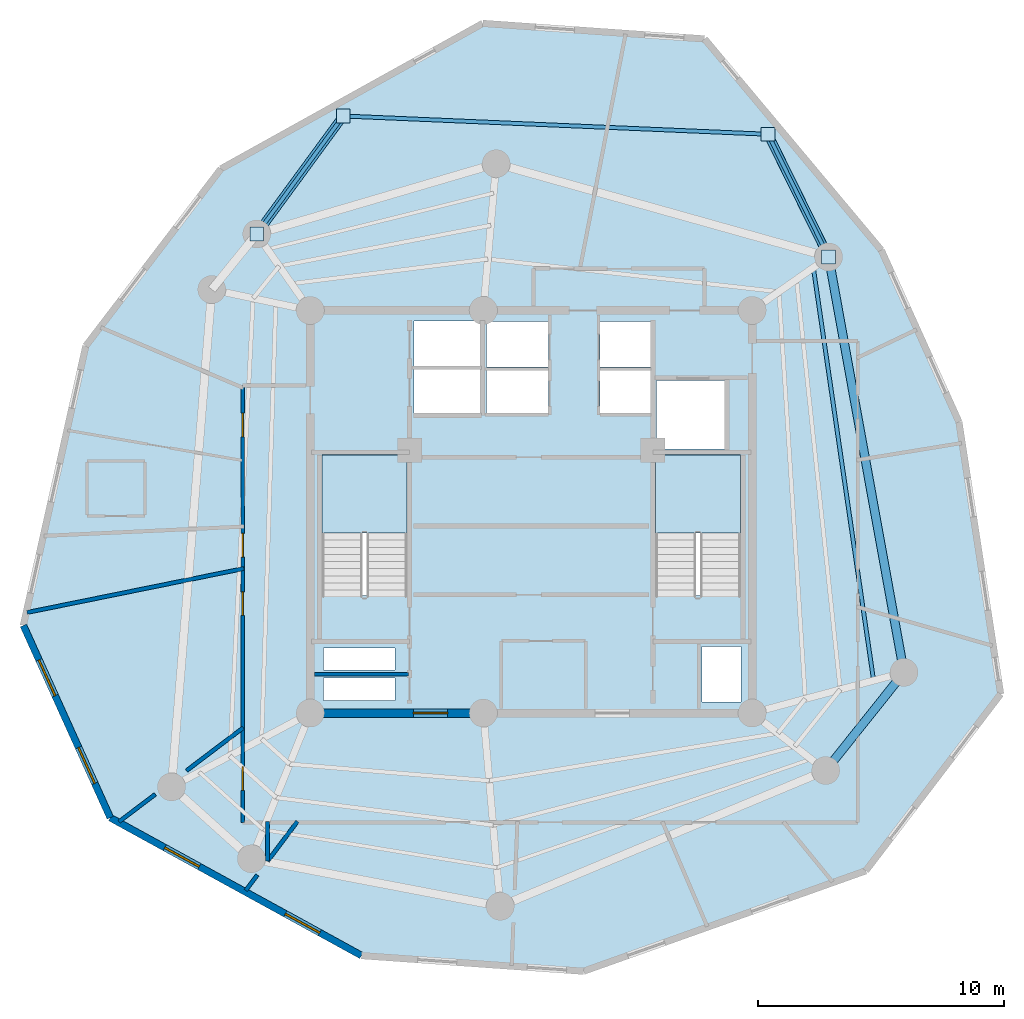
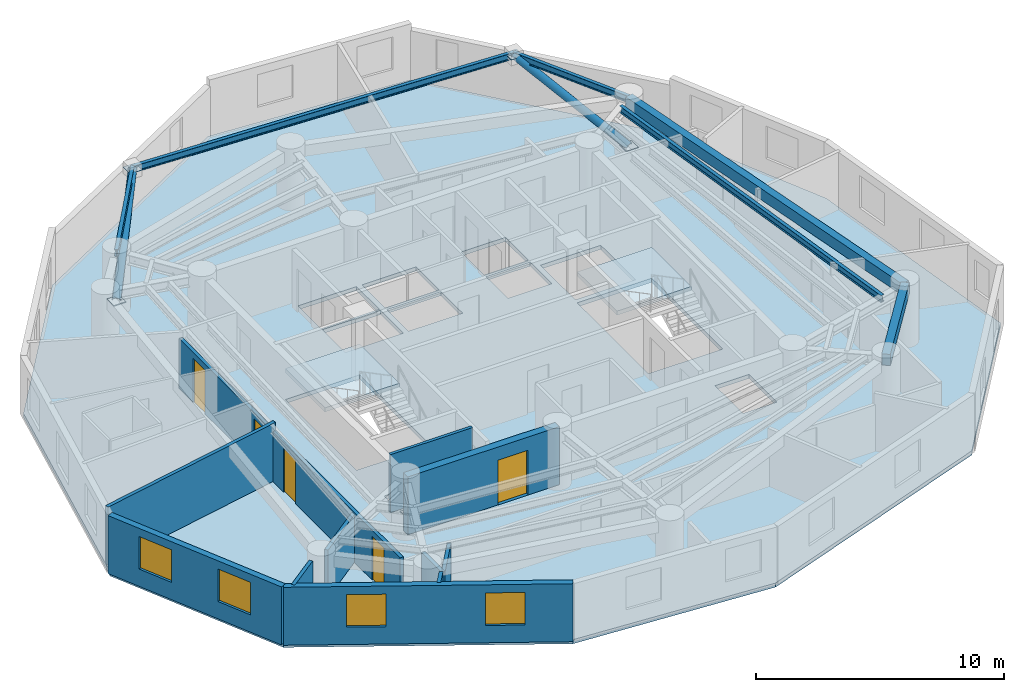
# One storey, part 2 of 7: 11 walls, 6 beams, 5 doors, 4 plates, 4 windows, 3 slabs, 2 members, 9 openings, 2 elements without a shape of their own.
"""IFC4 building model written with IfcOpenShell, lengths in metres."""

from ifc_helpers import new_model, si_unit, direction, frame, frame_2d, origin, origin_with_axes, origin_2d, place, context, subcontext, project, spatial, polyline, rectangle, hollow_circle, i_section, outline, extrude, source, transform, mapped, material, layer, layer_set, material_profile, profile_set, type_object, element, fill, aggregate, save


model = new_model("IFC4")

# Units and contexts
model_context = context("Model", 3, precision=1e-05, world=origin(), true_north=direction((0.0, 1.0)))
body_context = subcontext(model_context, "Body", "Model", "MODEL_VIEW")
ifc_project = project(units=[si_unit("LENGTHUNIT", "METRE"), si_unit("AREAUNIT", "SQUARE_METRE"), si_unit("VOLUMEUNIT", "CUBIC_METRE"), si_unit("PLANEANGLEUNIT", "RADIAN"), si_unit("MASSUNIT", "GRAM", prefix="KILO")], contexts=[model_context])

# Site, building, storey
site_placement = place(None, origin())
site = spatial("IfcSite", under=ifc_project, at=site_placement, CompositionType="ELEMENT")
building_placement = place(site_placement, origin())
building = spatial("IfcBuilding", under=site, at=building_placement, Name="Karkom Vertical University and Central Library", CompositionType="ELEMENT")
storey_placement = place(building_placement, frame((0.0, 0.0, 247.39990234375)))
storey = spatial("IfcBuildingStorey", under=building, at=storey_placement, Name="L73", CompositionType="ELEMENT", Elevation=247.39990234375)

# Beams
ifc_material_1 = material(Name="Precast concrete C45/55", Category="concrete")
ifc_material_profile_1 = material_profile(ifc_material_1, rectangle(XDim=0.35009765625, YDim=0.550048828125, at=origin_2d()), Name="SPB-350x550")
ifc_profile_set_1 = profile_set([ifc_material_profile_1], Name="Precast concrete C45/55")
beam_type_1 = type_object("IfcBeamType", Name="STR-BM-SP-2", PredefinedType="SPANDREL", material=ifc_profile_set_1)
shared_shape_1 = source(origin_with_axes(), body_context, "Body", "SweptSolid", [
    extrude(rectangle(XDim=0.35009765625, YDim=0.550048828125, at=origin_2d()), origin(), (0.0, 0.0, 1.0), 17.19970703125),
])
beam_1_placement = place(storey_placement, frame((43.681884765625, 19.9560546875, 2.5751953125), z_axis=(-0.178423249727, 0.983953832228, 0.0), x_axis=(-0.983953832228, -0.178423249727, 0.0)))
element("IfcBeam", 1, at=beam_1_placement, inside=storey, type_object=beam_type_1, Name="Level 73 Perimeter Spandrel Beam 01", PredefinedType="SPANDREL", context=body_context, shape_type="MappedRepresentation", body=[
    mapped(shared_shape_1, transform((0.0, 0.0, 0.0), scale=1.0)),
])
shared_shape_2 = source(origin_with_axes(), body_context, "Body", "SweptSolid", [
    extrude(rectangle(XDim=0.35009765625, YDim=0.550048828125, at=origin_2d()), origin(), (0.0, 0.0, 1.0), 5.112060546875),
])
beam_2_placement = place(storey_placement, frame((40.493896484375, 15.9599609375, 2.5751953125), z_axis=(0.623634459503, 0.78171609995, 0.0), x_axis=(-0.78171609995, 0.623634459503, 0.0)))
element("IfcBeam", 2, at=beam_2_placement, inside=storey, type_object=beam_type_1, Name="Level 73 Perimeter Spandrel Beam 09", PredefinedType="SPANDREL", context=body_context, shape_type="MappedRepresentation", body=[
    mapped(shared_shape_2, transform((0.0, 0.0, 0.0), scale=1.0)),
])
ifc_material_2 = material(Name="Steel S355", Category="steel")
ifc_material_profile_2 = material_profile(ifc_material_2, i_section(OverallWidth=0.159912109375, OverallDepth=0.330078125, WebThickness=0.007568359375, FlangeThickness=0.011474609375, FilletRadius=0.01806640625, at=origin_2d()), Name="IPE 330")
ifc_profile_set_2 = profile_set([ifc_material_profile_2], Name="Steel S355")
beam_type_2 = type_object("IfcBeamType", Name="STR-BM-SB-IPE330", PredefinedType="BEAM", material=ifc_profile_set_2)
shared_shape_3 = source(origin_with_axes(), body_context, "Body", "SweptSolid", [
    extrude(i_section(OverallWidth=0.159912109375, OverallDepth=0.330078125, WebThickness=0.007568359375, FlangeThickness=0.011474609375, FilletRadius=0.01806640625, at=origin_2d()), origin(), (0.0, 0.0, 1.0), 16.99755859375),
])
beam_3_placement = place(storey_placement, frame((42.445556640625, 19.624755859375, 2.68505859375), z_axis=(-0.144436985275, 0.98951400055, 0.0), x_axis=(-0.98951400055, -0.144436985275, 0.0)))
element("IfcBeam", 3, at=beam_3_placement, inside=storey, type_object=beam_type_2, Name="Level 73 Secondary Composite Floor Beam 3.01", PredefinedType="BEAM", context=body_context, shape_type="MappedRepresentation", body=[
    mapped(shared_shape_3, transform((0.0, 0.0, 0.0), scale=1.0)),
])
shared_shape_4 = source(origin_with_axes(), body_context, "Body", "SweptSolid", [
    extrude(i_section(OverallWidth=0.159912109375, OverallDepth=0.330078125, WebThickness=0.007568359375, FlangeThickness=0.011474609375, FilletRadius=0.01806640625, at=origin_2d()), origin(), (0.0, 0.0, 1.0), 5.571044921875),
])
beam_4_placement = place(storey_placement, frame((40.613037109375, 36.8798828125, 2.68505859375), z_axis=(-0.442825981534, 0.896607578642, 0.0), x_axis=(-0.896607578642, -0.442825981534, 0.0)))
element("IfcBeam", 4, at=beam_4_placement, inside=storey, type_object=beam_type_2, Name="Level 73 Sky Garden Outrigger Support Beam 1", PredefinedType="BEAM", context=body_context, shape_type="MappedRepresentation", body=[
    mapped(shared_shape_4, transform((0.0, 0.0, 0.0), scale=1.0)),
])

# Member
ifc_material_profile_3 = material_profile(ifc_material_2, hollow_circle(Radius=0.177734375, WallThickness=0.01611328125, at=origin_2d()), Name="CHS 355.6x16")
ifc_profile_set_3 = profile_set([ifc_material_profile_3], Name="Steel S355")
member_type = type_object("IfcMemberType", Name="STR-MEM-BR-3", PredefinedType="BRACE", material=ifc_profile_set_3)
shared_shape_5 = source(origin_with_axes(), body_context, "Body", "SweptSolid", [
    extrude(hollow_circle(Radius=0.177734375, WallThickness=0.01611328125, at=origin_2d()), origin(), (0.0, 0.0, 1.0), 6.040771484375),
])
member_1_placement = place(storey_placement, frame((40.613037109375, 36.8798828125, 0.35009765625), z_axis=(-0.40840611595, 0.826916292166, 0.386540929534), x_axis=(-0.896607578642, -0.442825981534, 0.0)))
element("IfcMember", 5, at=member_1_placement, inside=storey, type_object=member_type, Name="Level 73 Sky Garden Knee Strut Brace 1", PredefinedType="BRACE", context=body_context, shape_type="MappedRepresentation", body=[
    mapped(shared_shape_5, transform((0.0, 0.0, 0.0), scale=1.0)),
])

# Beam
shared_shape_6 = source(origin_with_axes(), body_context, "Body", "SweptSolid", [
    extrude(i_section(OverallWidth=0.159912109375, OverallDepth=0.330078125, WebThickness=0.007568359375, FlangeThickness=0.011474609375, FilletRadius=0.01806640625, at=origin_2d()), origin(), (0.0, 0.0, 1.0), 5.95849609375),
])
beam_5_placement = place(storey_placement, frame((17.320068359375, 37.81298828125, 2.68505859375), z_axis=(0.591132716229, 0.806574306437, 0.0), x_axis=(-0.806574306437, 0.591132716229, 0.0)))
element("IfcBeam", 6, at=beam_5_placement, inside=storey, type_object=beam_type_2, Name="Level 73 Sky Garden Outrigger Support Beam 2", PredefinedType="BEAM", context=body_context, shape_type="MappedRepresentation", body=[
    mapped(shared_shape_6, transform((0.0, 0.0, 0.0), scale=1.0)),
])

# Member
shared_shape_7 = source(origin_with_axes(), body_context, "Body", "SweptSolid", [
    extrude(hollow_circle(Radius=0.177734375, WallThickness=0.01611328125, at=origin_2d()), origin(), (0.0, 0.0, 1.0), 6.399658203125),
])
member_2_placement = place(storey_placement, frame((17.320068359375, 37.81298828125, 0.35009765625), z_axis=(0.550381262206, 0.750970759446, 0.364860774363), x_axis=(-0.806574306437, 0.591132716229, 0.0)))
element("IfcMember", 7, at=member_2_placement, inside=storey, type_object=member_type, Name="Level 73 Sky Garden Knee Strut Brace 2", PredefinedType="BRACE", context=body_context, shape_type="MappedRepresentation", body=[
    mapped(shared_shape_7, transform((0.0, 0.0, 0.0), scale=1.0)),
])

# Beam
shared_shape_8 = source(origin_with_axes(), body_context, "Body", "SweptSolid", [
    extrude(i_section(OverallWidth=0.159912109375, OverallDepth=0.330078125, WebThickness=0.007568359375, FlangeThickness=0.011474609375, FilletRadius=0.01806640625, at=origin_2d()), origin(), (0.0, 0.0, 1.0), 17.319580078125),
])
beam_6_placement = place(storey_placement, frame((38.14599609375, 41.875, 2.68505859375), z_axis=(-0.999077184184, 0.042950902706, 0.0), x_axis=(-0.042950902706, -0.999077184184, 0.0)))
element("IfcBeam", 8, at=beam_6_placement, inside=storey, type_object=beam_type_2, Name="Level 73 Sky Garden Perimeter Edge Beam", PredefinedType="BEAM", context=body_context, shape_type="MappedRepresentation", body=[
    mapped(shared_shape_8, transform((0.0, 0.0, 0.0), scale=1.0)),
])

# Stair, slab
ifc_material_3 = material(Name="Concrete C45/55", Category="concrete")
stair_type = type_object("IfcStairType", Name="INT-STR-ST-MAIN", PredefinedType="HALF_TURN_STAIR", material=ifc_material_3)
stair_1_placement = place(storey_placement, origin())
stair_1 = element("IfcStair", 9, at=stair_1_placement, inside=storey, type_object=stair_type, Name="Level 73 Tower Protected Exit Stair ST-1", PredefinedType="HALF_TURN_STAIR")
ifc_layer_1 = layer(ifc_material_3, 0.199951171875)
ifc_layer_set_1 = layer_set([ifc_layer_1], Name="Concrete C45/55")
slab_type_1 = type_object("IfcSlabType", Name="INT-SLB-LANDING", PredefinedType="LANDING", material=ifc_layer_set_1)
slab_1_placement = place(storey_placement, frame((0.0, 0.0, 1.3251953125)))
slab_1 = element("IfcSlab", 10, at=slab_1_placement, type_object=slab_type_1, Name="ST-1 landing 1", PredefinedType="LANDING", context=body_context, shape_type="SweptSolid", body=[
    extrude(outline(polyline([(23.43994140625, 25.6298828125), (23.43994140625, 28.820068359375), (19.97998046875, 28.820068359375), (19.97998046875, 25.6298828125), (23.43994140625, 25.6298828125)])), origin(), (0.0, 0.0, 1.0), 0.199951171875),
])
aggregate(stair_1, [slab_1])

stair_2_placement = place(storey_placement, origin())
stair_2 = element("IfcStair", 11, at=stair_2_placement, inside=storey, type_object=stair_type, Name="Level 73 Tower Protected Exit Stair ST-2", PredefinedType="HALF_TURN_STAIR")
slab_2_placement = place(storey_placement, frame((0.0, 0.0, 1.3251953125)))
slab_2 = element("IfcSlab", 12, at=slab_2_placement, type_object=slab_type_1, Name="ST-2 landing 1", PredefinedType="LANDING", context=body_context, shape_type="SweptSolid", body=[
    extrude(outline(polyline([(37.02001953125, 25.6298828125), (37.02001953125, 28.820068359375), (33.56005859375, 28.820068359375), (33.56005859375, 25.6298828125), (37.02001953125, 25.6298828125)])), origin(), (0.0, 0.0, 1.0), 0.199951171875),
])
aggregate(stair_2, [slab_2])

# Slab
ifc_material_4 = material(Name="Concrete C40/50", Category="concrete")
ifc_layer_2 = layer(ifc_material_4, 0.199951171875)
ifc_layer_set_2 = layer_set([ifc_layer_2], Name="Concrete C40/50")
slab_type_2 = type_object("IfcSlabType", Name="STR-SLB-FLR-200", PredefinedType="FLOOR", material=ifc_layer_set_2)
slab_3_placement = place(storey_placement, frame((0.0, 0.0, -0.199951171875)))
element("IfcSlab", 13, at=slab_3_placement, inside=storey, type_object=slab_type_2, Name="Level 73 Tower Structural Floor Slab", PredefinedType="FLOOR", context=body_context, shape_type="SweptSolid", body=[
    extrude(outline(polyline([(7.815185546875, 21.867919921875), (11.35498046875, 14.035400390625), (21.583251953125, 8.422607421875), (30.635498046875, 7.78759765625), (42.124755859375, 11.876708984375), (47.617919921875, 19.075439453125), (45.91796875, 30.161376953125), (42.7578125, 37.154296875), (35.560302734375, 45.755615234375), (26.527099609375, 46.38916015625), (15.865966796875, 40.4677734375), (10.361083984375, 33.25390625), (7.815185546875, 21.867919921875)]), holes=[polyline([(19.97998046875, 23.0849609375), (23.43994140625, 23.0849609375), (23.43994140625, 28.820068359375), (19.97998046875, 28.820068359375), (19.97998046875, 23.0849609375)]), polyline([(33.56005859375, 23.0849609375), (37.02001953125, 23.0849609375), (37.02001953125, 28.820068359375), (33.56005859375, 28.820068359375), (33.56005859375, 23.0849609375)]), polyline([(26.679931640625, 30.5), (29.199951171875, 30.5), (29.199951171875, 32.25), (26.679931640625, 32.25), (26.679931640625, 30.5)]), polyline([(26.679931640625, 32.39990234375), (29.199951171875, 32.39990234375), (29.199951171875, 34.25), (26.679931640625, 34.25), (26.679931640625, 32.39990234375)]), polyline([(31.300048828125, 30.5), (33.35009765625, 30.5), (33.35009765625, 32.25), (31.300048828125, 32.25), (31.300048828125, 30.5)]), polyline([(31.300048828125, 32.39990234375), (33.35009765625, 32.39990234375), (33.35009765625, 34.25), (31.300048828125, 34.25), (31.300048828125, 32.39990234375)]), polyline([(23.719970703125, 30.47998046875), (26.429931640625, 30.47998046875), (26.429931640625, 32.320068359375), (23.719970703125, 32.320068359375), (23.719970703125, 30.47998046875)]), polyline([(23.719970703125, 32.419921875), (26.429931640625, 32.419921875), (26.429931640625, 34.260009765625), (23.719970703125, 34.260009765625), (23.719970703125, 32.419921875)]), polyline([(33.60009765625, 29.050048828125), (36.39990234375, 29.050048828125), (36.39990234375, 31.85009765625), (33.60009765625, 31.85009765625), (33.60009765625, 29.050048828125)]), polyline([(20.050048828125, 18.820068359375), (22.949951171875, 18.820068359375), (22.949951171875, 19.719970703125), (20.050048828125, 19.719970703125), (20.050048828125, 18.820068359375)]), polyline([(20.050048828125, 20.06005859375), (22.949951171875, 20.06005859375), (22.949951171875, 20.9599609375), (20.050048828125, 20.9599609375), (20.050048828125, 20.06005859375)]), polyline([(35.4599609375, 18.760009765625), (37.0400390625, 18.760009765625), (37.0400390625, 21.010009765625), (35.4599609375, 21.010009765625), (35.4599609375, 18.760009765625)])]), origin(), (0.0, 0.0, 1.0), 0.199951171875),
])

# Plates
ifc_layer_3 = layer(ifc_material_2, 0.028076171875)
ifc_layer_set_3 = layer_set([ifc_layer_3], Name="Steel S355")
plate_type = type_object("IfcPlateType", Name="STR-PLT-GP-2", PredefinedType="USERDEFINED", material=ifc_layer_set_3)
shared_shape_9 = source(origin_with_axes(), body_context, "Body", "SweptSolid", [
    extrude(rectangle(XDim=0.56005859375, YDim=0.56005859375, at=origin_2d()), origin(), (0.0, 0.0, 1.0), 0.028076171875),
])
for number, where, z_axis, x_axis, name in (
    (14, (40.613037109375, 36.8798828125, 0.3359375), (0.0, 0.0, 1.0), (1.0, 0.0, 0.0), "Level 73 Node Gusset Cap Plate L73-SKG-KNEE-1 A"),
    (15, (38.14599609375, 41.875, 2.6708984375), (0.0, 0.0, 1.0), (1.0, 0.0, 0.0), "Level 73 Node Gusset Cap Plate L73-SKG-KNEE-1 B"),
    (16, (17.320068359375, 37.81298828125, 0.3359375), (0.0, 0.0, 1.0), (1.0, 0.0, 0.0), "Level 73 Node Gusset Cap Plate L73-SKG-KNEE-2 A"),
    (17, (20.84228515625, 42.618896484375, 2.6708984375), (0.0, 0.0, 1.0), (1.0, 0.0, 0.0), "Level 73 Node Gusset Cap Plate L73-SKG-KNEE-2 B"),
):
    element("IfcPlate", number, at=place(storey_placement, frame(where, z_axis=z_axis, x_axis=x_axis)), inside=storey, type_object=plate_type, Name=name, ObjectType="GUSSET PLATE", PredefinedType="USERDEFINED", context=body_context, shape_type="MappedRepresentation", body=[
        mapped(shared_shape_9, transform((0.0, 0.0, 0.0), scale=1.0)),
    ])

# Wall, openings, windows
ifc_material_5 = material(Name="Brick-faced precast concrete C45/55", Category="masonry")
ifc_layer_4 = layer(ifc_material_5, 0.280029296875)
ifc_layer_set_4 = layer_set([ifc_layer_4], Name="Brick-faced precast concrete C45/55")
wall_type_1 = type_object("IfcWallType", Name="ENV-WL-BRK-280", PredefinedType="SOLIDWALL", material=ifc_layer_set_4)
wall_1_placement = place(storey_placement, frame((7.815185546875, 21.867919921875, 0.0), z_axis=(0.0, 0.0, 1.0), x_axis=(0.411831002514, -0.911260240199, 0.0)))
wall_1 = element("IfcWall", 18, at=wall_1_placement, inside=storey, type_object=wall_type_1, Name="Level 73 Brick-Faced Precast Facade Wall 01", PredefinedType="SOLIDWALL", context=body_context, shape_type="SweptSolid", body=[
    extrude(rectangle(XDim=8.59521484375, YDim=0.280029296875, at=frame_2d((4.297607421875, 0.0))), origin(), (0.0, 0.0, 1.0), 2.85009765625),
])
opening_1_placement = place(wall_1_placement, frame((1.538818359375, 0.0, 0.85009765625)))
opening_1 = element("IfcOpeningElement", 19, at=opening_1_placement, cuts=wall_1, Name="Opening WN-10", PredefinedType="OPENING", context=body_context, shape_type="SweptSolid", body=[
    extrude(rectangle(XDim=1.60009765625, YDim=1.60009765625, at=frame_2d((0.800048828125, 0.800048828125))), frame((0.0, 0.14990234375, 0.0), z_axis=(0.0, -1.0, 0.0), x_axis=(1.0, 0.0, 0.0)), (0.0, 0.0, 1.0), 0.300048828125),
])
opening_2_placement = place(wall_1_placement, frame((5.456298828125, 0.0, 0.85009765625)))
opening_2 = element("IfcOpeningElement", 20, at=opening_2_placement, cuts=wall_1, Name="Opening WN-10", PredefinedType="OPENING", context=body_context, shape_type="SweptSolid", body=[
    extrude(rectangle(XDim=1.60009765625, YDim=1.60009765625, at=frame_2d((0.800048828125, 0.800048828125))), frame((0.0, 0.14990234375, 0.0), z_axis=(0.0, -1.0, 0.0), x_axis=(1.0, 0.0, 0.0)), (0.0, 0.0, 1.0), 0.300048828125),
])
ifc_material_6 = material(Name="Aluminium thermal-break frame with solar-control IGU", Category="aluminium")
window_type = type_object("IfcWindowType", Name="ENV-WIN-WN-10", PartitioningType="SINGLE_PANEL", PredefinedType="WINDOW", material=ifc_material_6)
shared_shape_10 = source(origin_with_axes(), body_context, "Body", "SweptSolid", [
    extrude(rectangle(XDim=1.60009765625, YDim=1.60009765625, at=frame_2d((0.800048828125, 0.800048828125))), frame((0.0, 0.030029296875, 0.0), z_axis=(0.0, -1.0, 0.0), x_axis=(1.0, 0.0, 0.0)), (0.0, 0.0, 1.0), 0.06005859375),
])
window_1_placement = place(opening_1_placement, origin())
window_1 = element("IfcWindow", 21, at=window_1_placement, inside=storey, type_object=window_type, Name="Level 73 Punched Window 1.1", OverallHeight=1.60009765625, OverallWidth=1.60009765625, PartitioningType="SINGLE_PANEL", PredefinedType="WINDOW", context=body_context, shape_type="MappedRepresentation", body=[
    mapped(shared_shape_10, transform((0.0, 0.0, 0.0), scale=1.0)),
])
fill(opening_1, window_1)
window_2_placement = place(opening_2_placement, origin())
window_2 = element("IfcWindow", 22, at=window_2_placement, inside=storey, type_object=window_type, Name="Level 73 Punched Window 1.2", OverallHeight=1.60009765625, OverallWidth=1.60009765625, PartitioningType="SINGLE_PANEL", PredefinedType="WINDOW", context=body_context, shape_type="MappedRepresentation", body=[
    mapped(shared_shape_10, transform((0.0, 0.0, 0.0), scale=1.0)),
])
fill(opening_2, window_2)

wall_2_placement = place(storey_placement, frame((11.35498046875, 14.035400390625, 0.0), z_axis=(0.0, 0.0, 1.0), x_axis=(0.876677194771, -0.481079095543, 0.0)))
wall_2 = element("IfcWall", 23, at=wall_2_placement, inside=storey, type_object=wall_type_1, Name="Level 73 Brick-Faced Precast Facade Wall 02", PredefinedType="SOLIDWALL", context=body_context, shape_type="SweptSolid", body=[
    extrude(rectangle(XDim=11.6669921875, YDim=0.280029296875, at=frame_2d((5.83349609375, 0.0))), origin(), (0.0, 0.0, 1.0), 2.85009765625),
])
opening_3_placement = place(wall_2_placement, frame((2.531982421875, 0.0, 0.85009765625)))
opening_3 = element("IfcOpeningElement", 24, at=opening_3_placement, cuts=wall_2, Name="Opening WN-10", PredefinedType="OPENING", context=body_context, shape_type="SweptSolid", body=[
    extrude(rectangle(XDim=1.60009765625, YDim=1.60009765625, at=frame_2d((0.800048828125, 0.800048828125))), frame((0.0, 0.14990234375, 0.0), z_axis=(0.0, -1.0, 0.0), x_axis=(1.0, 0.0, 0.0)), (0.0, 0.0, 1.0), 0.300048828125),
])
opening_4_placement = place(wall_2_placement, frame((8.1337890625, 0.0, 0.85009765625)))
opening_4 = element("IfcOpeningElement", 25, at=opening_4_placement, cuts=wall_2, Name="Opening WN-10", PredefinedType="OPENING", context=body_context, shape_type="SweptSolid", body=[
    extrude(rectangle(XDim=1.60009765625, YDim=1.60009765625, at=frame_2d((0.800048828125, 0.800048828125))), frame((0.0, 0.14990234375, 0.0), z_axis=(0.0, -1.0, 0.0), x_axis=(1.0, 0.0, 0.0)), (0.0, 0.0, 1.0), 0.300048828125),
])
window_3_placement = place(opening_3_placement, origin())
window_3 = element("IfcWindow", 26, at=window_3_placement, inside=storey, type_object=window_type, Name="Level 73 Punched Window 2.1", OverallHeight=1.60009765625, OverallWidth=1.60009765625, PartitioningType="SINGLE_PANEL", PredefinedType="WINDOW", context=body_context, shape_type="MappedRepresentation", body=[
    mapped(shared_shape_10, transform((0.0, 0.0, 0.0), scale=1.0)),
])
fill(opening_3, window_3)
window_4_placement = place(opening_4_placement, origin())
window_4 = element("IfcWindow", 27, at=window_4_placement, inside=storey, type_object=window_type, Name="Level 73 Punched Window 2.2", OverallHeight=1.60009765625, OverallWidth=1.60009765625, PartitioningType="SINGLE_PANEL", PredefinedType="WINDOW", context=body_context, shape_type="MappedRepresentation", body=[
    mapped(shared_shape_10, transform((0.0, 0.0, 0.0), scale=1.0)),
])
fill(opening_4, window_4)

# Wall, openings, doors
ifc_material_7 = material(Name="Insulated metal-stud drywall 160mm", Category="gypsum")
ifc_layer_5 = layer(ifc_material_7, 0.159912109375)
ifc_layer_set_5 = layer_set([ifc_layer_5], Name="Insulated metal-stud drywall 160mm")
wall_type_2 = type_object("IfcWallType", Name="INT-WL-COR-160", PredefinedType="PARTITIONING", material=ifc_layer_set_5)
wall_3_placement = place(storey_placement, frame((16.75, 13.85009765625, 0.0), z_axis=(0.0, 0.0, 1.0), x_axis=(0.0, 1.0, 0.0)))
wall_3 = element("IfcWall", 28, at=wall_3_placement, inside=storey, type_object=wall_type_2, Name="Level 73 Interior Partition Wall L73-CORW-CW-002", PredefinedType="PARTITIONING", context=body_context, shape_type="SweptSolid", body=[
    extrude(rectangle(XDim=17.7998046875, YDim=0.159912109375, at=frame_2d((8.89990234375, 0.0))), origin(), (0.0, 0.0, 1.0), 2.4501953125),
])
opening_5_placement = place(wall_3_placement, frame((15.70361328125, 0.0, 0.0)))
opening_5 = element("IfcOpeningElement", 29, at=opening_5_placement, cuts=wall_3, Name="Opening FD-RM2", PredefinedType="OPENING", context=body_context, shape_type="SweptSolid", body=[
    extrude(rectangle(XDim=0.9599609375, YDim=2.14990234375, at=frame_2d((0.47998046875, 1.074951171875))), frame((0.0, 0.08984375, 0.0), z_axis=(0.0, -1.0, 0.0), x_axis=(1.0, 0.0, 0.0)), (0.0, 0.0, 1.0), 0.179931640625),
])
opening_6_placement = place(wall_3_placement, frame((10.804931640625, 0.0, 0.0)))
opening_6 = element("IfcOpeningElement", 30, at=opening_6_placement, cuts=wall_3, Name="Opening FD-RM2", PredefinedType="OPENING", context=body_context, shape_type="SweptSolid", body=[
    extrude(rectangle(XDim=0.9599609375, YDim=2.14990234375, at=frame_2d((0.47998046875, 1.074951171875))), frame((0.0, 0.08984375, 0.0), z_axis=(0.0, -1.0, 0.0), x_axis=(1.0, 0.0, 0.0)), (0.0, 0.0, 1.0), 0.179931640625),
])
opening_7_placement = place(wall_3_placement, frame((8.425048828125, 0.0, 0.0)))
opening_7 = element("IfcOpeningElement", 31, at=opening_7_placement, cuts=wall_3, Name="Opening FD-RM2", PredefinedType="OPENING", context=body_context, shape_type="SweptSolid", body=[
    extrude(rectangle(XDim=0.9599609375, YDim=2.14990234375, at=frame_2d((0.47998046875, 1.074951171875))), frame((0.0, 0.08984375, 0.0), z_axis=(0.0, -1.0, 0.0), x_axis=(1.0, 0.0, 0.0)), (0.0, 0.0, 1.0), 0.179931640625),
])
opening_8_placement = place(wall_3_placement, frame((1.2978515625, 0.0, 0.0)))
opening_8 = element("IfcOpeningElement", 32, at=opening_8_placement, cuts=wall_3, Name="Opening FD-RM2", PredefinedType="OPENING", context=body_context, shape_type="SweptSolid", body=[
    extrude(rectangle(XDim=0.9599609375, YDim=2.14990234375, at=frame_2d((0.47998046875, 1.074951171875))), frame((0.0, 0.08984375, 0.0), z_axis=(0.0, -1.0, 0.0), x_axis=(1.0, 0.0, 0.0)), (0.0, 0.0, 1.0), 0.179931640625),
])
ifc_material_8 = material(Name="Fire-rated oak veneer door", Category="wood")
door_type_1 = type_object("IfcDoorType", Name="INT-DR-FRM2", OperationType="NOTDEFINED", PredefinedType="DOOR", material=ifc_material_8)
shared_shape_11 = source(origin_with_axes(), body_context, "Body", "SweptSolid", [
    extrude(rectangle(XDim=0.9599609375, YDim=2.14990234375, at=frame_2d((0.47998046875, 1.074951171875))), frame((0.0, 0.02490234375, 0.0), z_axis=(0.0, -1.0, 0.0), x_axis=(1.0, 0.0, 0.0)), (0.0, 0.0, 1.0), 0.050048828125),
])
door_1_placement = place(opening_5_placement, origin())
door_1 = element("IfcDoor", 33, at=door_1_placement, inside=storey, type_object=door_type_1, Name="Level 73 Room Entry Door 422", OperationType="SINGLE_SWING_LEFT", OverallHeight=2.14990234375, OverallWidth=0.9599609375, PredefinedType="DOOR", context=body_context, shape_type="MappedRepresentation", body=[
    mapped(shared_shape_11, transform((0.0, 0.0, 0.0), scale=1.0)),
])
fill(opening_5, door_1)
door_2_placement = place(opening_6_placement, origin())
door_2 = element("IfcDoor", 34, at=door_2_placement, inside=storey, type_object=door_type_1, Name="Level 73 Room Entry Door 300", OperationType="SINGLE_SWING_RIGHT", OverallHeight=2.14990234375, OverallWidth=0.9599609375, PredefinedType="DOOR", context=body_context, shape_type="MappedRepresentation", body=[
    mapped(shared_shape_11, transform((0.0, 0.0, 0.0), scale=1.0)),
])
fill(opening_6, door_2)
door_3_placement = place(opening_7_placement, origin())
door_3 = element("IfcDoor", 35, at=door_3_placement, inside=storey, type_object=door_type_1, Name="Level 73 Room Entry Door 301", OperationType="SINGLE_SWING_LEFT", OverallHeight=2.14990234375, OverallWidth=0.9599609375, PredefinedType="DOOR", context=body_context, shape_type="MappedRepresentation", body=[
    mapped(shared_shape_11, transform((0.0, 0.0, 0.0), scale=1.0)),
])
fill(opening_7, door_3)
door_4_placement = place(opening_8_placement, origin())
door_4 = element("IfcDoor", 36, at=door_4_placement, inside=storey, type_object=door_type_1, Name="Level 73 Room Entry Door 302", OperationType="SINGLE_SWING_RIGHT", OverallHeight=2.14990234375, OverallWidth=0.9599609375, PredefinedType="DOOR", context=body_context, shape_type="MappedRepresentation", body=[
    mapped(shared_shape_11, transform((0.0, 0.0, 0.0), scale=1.0)),
])
fill(opening_8, door_4)

# Walls
wall_4_placement = place(storey_placement, frame((16.794189453125, 24.1875, 0.0), z_axis=(0.0, 0.0, 1.0), x_axis=(-0.980056067902, -0.198721170909, 0.0)))
element("IfcWall", 37, at=wall_4_placement, inside=storey, type_object=wall_type_2, Name="Level 73 Interior Partition Wall L73-PW-001", PredefinedType="PARTITIONING", context=body_context, shape_type="SweptSolid", body=[
    extrude(rectangle(XDim=9.009033203125, YDim=0.159912109375, at=frame_2d((4.50439453125, 0.0))), origin(), (0.0, 0.0, 1.0), 2.85009765625),
])
wall_5_placement = place(storey_placement, frame((16.77392578125, 17.704833984375, 0.0), z_axis=(0.0, 0.0, 1.0), x_axis=(-0.797508186194, -0.603308124388, 0.0)))
element("IfcWall", 38, at=wall_5_placement, inside=storey, type_object=wall_type_2, Name="Level 73 Interior Partition Wall L73-PW-003", PredefinedType="PARTITIONING", context=body_context, shape_type="SweptSolid", body=[
    extrude(rectangle(XDim=2.900390625, YDim=0.159912109375, at=frame_2d((1.4501953125, 0.0))), origin(), (0.0, 0.0, 1.0), 2.35009765625),
])
wall_6_placement = place(storey_placement, frame((18.9765625, 13.885986328125, 0.0), z_axis=(0.0, 0.0, 1.0), x_axis=(-0.599536769063, -0.80034721374, 0.0)))
element("IfcWall", 39, at=wall_6_placement, inside=storey, type_object=wall_type_2, Name="Level 73 Interior Partition Wall L73-PW-005", PredefinedType="PARTITIONING", context=body_context, shape_type="SweptSolid", body=[
    extrude(rectangle(XDim=2.024169921875, YDim=0.159912109375, at=frame_2d((1.01220703125, 0.0))), origin(), (0.0, 0.0, 1.0), 2.35009765625),
])
wall_7_placement = place(storey_placement, frame((13.18896484375, 14.992919921875, 0.0), z_axis=(0.0, 0.0, 1.0), x_axis=(-0.79751089614, -0.603304542116, 0.0)))
element("IfcWall", 40, at=wall_7_placement, inside=storey, type_object=wall_type_2, Name="Level 73 Interior Partition Wall L73-PW-004", PredefinedType="PARTITIONING", context=body_context, shape_type="SweptSolid", body=[
    extrude(rectangle(XDim=1.85302734375, YDim=0.159912109375, at=frame_2d((0.926513671875, 0.0))), origin(), (0.0, 0.0, 1.0), 2.85009765625),
])
wall_8_placement = place(storey_placement, frame((17.762939453125, 12.265869140625, 0.0), z_axis=(0.0, 0.0, 1.0), x_axis=(0.0, 1.0, 0.0)))
element("IfcWall", 41, at=wall_8_placement, inside=storey, type_object=wall_type_2, Name="Level 73 Interior Partition Wall L73-PW-006", PredefinedType="PARTITIONING", context=body_context, shape_type="SweptSolid", body=[
    extrude(rectangle(XDim=1.614013671875, YDim=0.159912109375, at=frame_2d((0.80712890625, 0.0))), origin(), (0.0, 0.0, 1.0), 2.35009765625),
])
wall_9_placement = place(storey_placement, frame((17.343505859375, 11.7060546875, 0.0), z_axis=(0.0, 0.0, 1.0), x_axis=(-0.599503144289, -0.800372400816, 0.0)))
element("IfcWall", 42, at=wall_9_placement, inside=storey, type_object=wall_type_2, Name="Level 73 Interior Partition Wall L73-PW-007", PredefinedType="PARTITIONING", context=body_context, shape_type="SweptSolid", body=[
    extrude(rectangle(XDim=0.786376953125, YDim=0.159912109375, at=frame_2d((0.39306640625, 0.0))), origin(), (0.0, 0.0, 1.0), 2.85009765625),
])
ifc_material_9 = material(Name="Metal-stud gypsum partition 140mm", Category="gypsum")
ifc_layer_6 = layer(ifc_material_9, 0.139892578125)
ifc_layer_set_6 = layer_set([ifc_layer_6], Name="Metal-stud gypsum partition 140mm")
wall_type_3 = type_object("IfcWallType", Name="INT-WL-SUB-140H", PredefinedType="PARTITIONING", material=ifc_layer_set_6)
wall_10_placement = place(storey_placement, frame((19.681884765625, 19.889892578125, 0.0), z_axis=(0.0, 0.0, 1.0), x_axis=(1.0, 0.0, 0.0)))
element("IfcWall", 43, at=wall_10_placement, inside=storey, type_object=wall_type_3, Name="Level 73 Interior Partition Wall L73-CW-RIS-W", PredefinedType="PARTITIONING", context=body_context, shape_type="SweptSolid", body=[
    extrude(rectangle(XDim=3.8154296875, YDim=0.139892578125, at=frame_2d((1.90771484375, 0.0))), origin(), (0.0, 0.0, 1.0), 2.85009765625),
])

# Wall, opening, door
ifc_layer_7 = layer(ifc_material_3, 0.35009765625)
ifc_layer_set_7 = layer_set([ifc_layer_7], Name="Concrete C45/55")
wall_type_4 = type_object("IfcWallType", Name="STR-WL-CW-350", PredefinedType="SHEAR", material=ifc_layer_set_7)
wall_11_placement = place(storey_placement, frame((19.5, 18.300048828125, 0.0), z_axis=(0.0, 0.0, 1.0), x_axis=(1.0, 0.0, 0.0)))
wall_11 = element("IfcWall", 44, at=wall_11_placement, inside=storey, type_object=wall_type_4, Name="Level 73 Central Core Shear Wall SW1", PredefinedType="SHEAR", context=body_context, shape_type="SweptSolid", body=[
    extrude(rectangle(XDim=7.050048828125, YDim=0.35009765625, at=frame_2d((3.52490234375, 0.0))), origin(), (0.0, 0.0, 1.0), 2.85009765625),
])
opening_9_placement = place(wall_11_placement, frame((4.199951171875, 0.0, 0.0)))
opening_9 = element("IfcOpeningElement", 45, at=opening_9_placement, cuts=wall_11, Name="Opening FD-CLB", PredefinedType="OPENING", context=body_context, shape_type="SweptSolid", body=[
    extrude(rectangle(XDim=1.39990234375, YDim=2.199951171875, at=frame_2d((0.699951171875, 1.10009765625))), frame((0.0, 0.18505859375, 0.0), z_axis=(0.0, -1.0, 0.0), x_axis=(1.0, 0.0, 0.0)), (0.0, 0.0, 1.0), 0.3701171875),
])
ifc_material_10 = material(Name="Painted steel fire door", Category="steel")
door_type_2 = type_object("IfcDoorType", Name="INT-DR-CLB", OperationType="DOUBLE_DOOR_SINGLE_SWING", PredefinedType="DOOR", material=ifc_material_10)
shared_shape_12 = source(origin_with_axes(), body_context, "Body", "SweptSolid", [
    extrude(rectangle(XDim=1.39990234375, YDim=2.199951171875, at=frame_2d((0.699951171875, 1.10009765625))), frame((0.0, 0.02490234375, 0.0), z_axis=(0.0, -1.0, 0.0), x_axis=(1.0, 0.0, 0.0)), (0.0, 0.0, 1.0), 0.050048828125),
])
door_5_placement = place(opening_9_placement, origin())
door_5 = element("IfcDoor", 46, at=door_5_placement, inside=storey, type_object=door_type_2, Name="Level 73 South Core Lobby West Exit Door", OperationType="DOUBLE_DOOR_SINGLE_SWING", OverallHeight=2.199951171875, OverallWidth=1.39990234375, PredefinedType="DOOR", context=body_context, shape_type="MappedRepresentation", body=[
    mapped(shared_shape_12, transform((0.0, 0.0, 0.0), scale=1.0)),
])
fill(opening_9, door_5)

save(model, "model.ifc")
